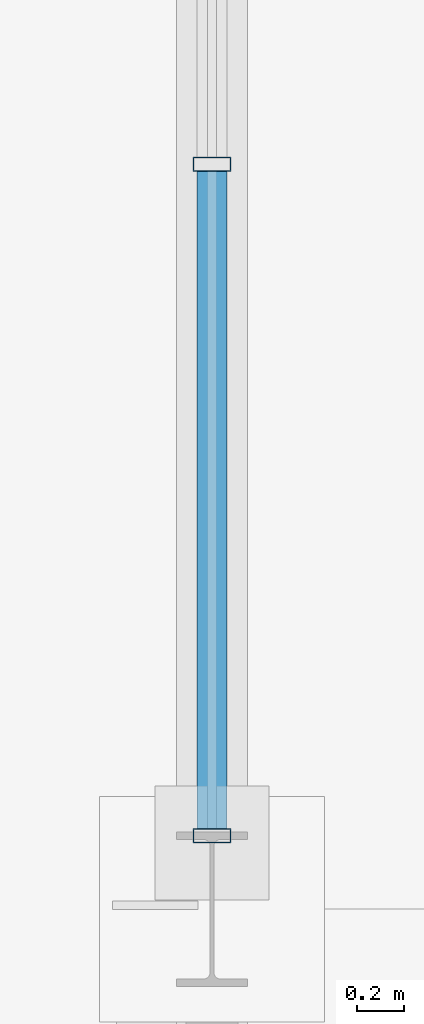
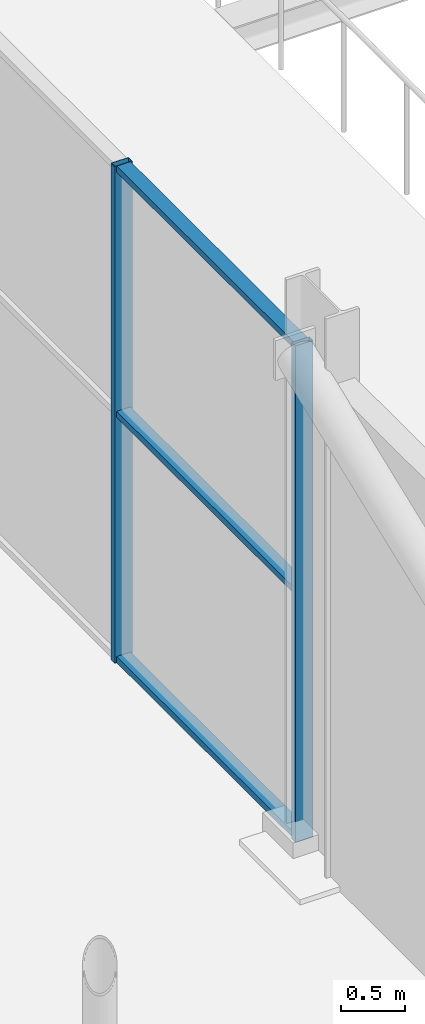
# One storey, part 56 of 196: 5 members, 1 element without a shape of its own.
"""IFC4 building model written with IfcOpenShell, lengths in metres."""

from ifc_helpers import new_model, si_unit, direction, frame, origin, origin_2d, place, context, subcontext, project, spatial, hollow_rectangle, extrude, material, material_profile, profile_set, type_object, element, aggregate, save


model = new_model("IFC4")

# Units and contexts
model_context = context("Model", 3, precision=1e-05, world=origin(), true_north=direction((0.0, 1.0)))
body_context = subcontext(model_context, "Body", "Model", "MODEL_VIEW")
ifc_project = project(units=[si_unit("LENGTHUNIT", "METRE"), si_unit("AREAUNIT", "SQUARE_METRE"), si_unit("VOLUMEUNIT", "CUBIC_METRE"), si_unit("PLANEANGLEUNIT", "RADIAN"), si_unit("MASSUNIT", "GRAM", prefix="KILO")], contexts=[model_context])

# Site, building, storey
site_placement = place(None, origin())
site = spatial("IfcSite", under=ifc_project, at=site_placement, CompositionType="ELEMENT")
building_placement = place(site_placement, origin())
building = spatial("IfcBuilding", under=site, at=building_placement, Name="Merenkruunu Market Hall", CompositionType="ELEMENT")
storey_placement = place(building_placement, origin())
storey = spatial("IfcBuildingStorey", under=building, at=storey_placement, Name="L00", CompositionType="ELEMENT", Elevation=0.0)

# Curtain wall, members
ifc_material = material(Name="Powder-coated aluminium", Category="aluminium")
curtain_wall_type = type_object("IfcCurtainWallType", Name="Glazed Curtain Wall CW02", PredefinedType="USERDEFINED", material=ifc_material)
curtain_wall_placement = place(storey_placement, origin())
curtain_wall = element("IfcCurtainWall", 1, at=curtain_wall_placement, inside=storey, type_object=curtain_wall_type, Name="CW-L00-CWM01-127", ObjectType="GLAZED_FACADE", PredefinedType="USERDEFINED")
ifc_material_profile_1 = material_profile(ifc_material, hollow_rectangle(XDim=0.06005859375, YDim=0.159912109375, WallThickness=0.00390625, at=origin_2d()), Name="ALU 60x160x4")
ifc_profile_set_1 = profile_set([ifc_material_profile_1], Name="Powder-coated aluminium")
member_type_1 = type_object("IfcMemberType", Name="Curtain Wall Mullion CWM01", PredefinedType="MULLION", material=ifc_profile_set_1)
member_1_placement = place(storey_placement, frame((57.60009765625, 51.909912109375, 0.0), z_axis=(0.0, 0.0, 1.0), x_axis=(0.0, 1.0, 0.0)))
member_1 = element("IfcMember", 2, at=member_1_placement, type_object=member_type_1, Name="CW02 mullion 1", PredefinedType="MULLION", context=body_context, shape_type="SweptSolid", body=[
    extrude(hollow_rectangle(XDim=0.06005859375, YDim=0.159912109375, WallThickness=0.00390625, at=origin_2d()), origin(), (0.0, 0.0, 1.0), 4.75),
])
member_2_placement = place(storey_placement, frame((57.60009765625, 54.739990234375, 0.0), z_axis=(0.0, 0.0, 1.0), x_axis=(0.0, 1.0, 0.0)))
member_2 = element("IfcMember", 3, at=member_2_placement, type_object=member_type_1, Name="CW02 mullion 2", PredefinedType="MULLION", context=body_context, shape_type="SweptSolid", body=[
    extrude(hollow_rectangle(XDim=0.06005859375, YDim=0.159912109375, WallThickness=0.00390625, at=origin_2d()), origin(), (0.0, 0.0, 1.0), 4.75),
])
ifc_material_profile_2 = material_profile(ifc_material, hollow_rectangle(XDim=0.06005859375, YDim=0.125, WallThickness=0.00390625, at=origin_2d()), Name="ALU 60x125x4")
ifc_profile_set_2 = profile_set([ifc_material_profile_2], Name="Powder-coated aluminium")
member_type_2 = type_object("IfcMemberType", Name="Curtain Wall Transom CWT01", PredefinedType="USERDEFINED", material=ifc_profile_set_2)
member_3_placement = place(storey_placement, frame((57.60009765625, 51.93994140625, 0.030029296875), z_axis=(0.0, 1.0, 0.0), x_axis=(0.0, 0.0, 1.0)))
member_3 = element("IfcMember", 4, at=member_3_placement, type_object=member_type_2, Name="CW02 transom 1.1", ObjectType="TRANSOM", PredefinedType="USERDEFINED", context=body_context, shape_type="SweptSolid", body=[
    extrude(hollow_rectangle(XDim=0.06005859375, YDim=0.125, WallThickness=0.00390625, at=origin_2d()), origin(), (0.0, 0.0, 1.0), 2.77001953125),
])
member_4_placement = place(storey_placement, frame((57.60009765625, 51.93994140625, 2.375), z_axis=(0.0, 1.0, 0.0), x_axis=(0.0, 0.0, 1.0)))
member_4 = element("IfcMember", 5, at=member_4_placement, type_object=member_type_2, Name="CW02 transom 1.2", ObjectType="TRANSOM", PredefinedType="USERDEFINED", context=body_context, shape_type="SweptSolid", body=[
    extrude(hollow_rectangle(XDim=0.06005859375, YDim=0.125, WallThickness=0.00390625, at=origin_2d()), origin(), (0.0, 0.0, 1.0), 2.77001953125),
])
member_5_placement = place(storey_placement, frame((57.60009765625, 51.93994140625, 4.719970703125), z_axis=(0.0, 1.0, 0.0), x_axis=(0.0, 0.0, 1.0)))
member_5 = element("IfcMember", 6, at=member_5_placement, type_object=member_type_2, Name="CW02 transom 1.3", ObjectType="TRANSOM", PredefinedType="USERDEFINED", context=body_context, shape_type="SweptSolid", body=[
    extrude(hollow_rectangle(XDim=0.06005859375, YDim=0.125, WallThickness=0.00390625, at=origin_2d()), origin(), (0.0, 0.0, 1.0), 2.77001953125),
])
aggregate(curtain_wall, [member_1, member_2, member_3, member_4, member_5])

save(model, "model.ifc")
